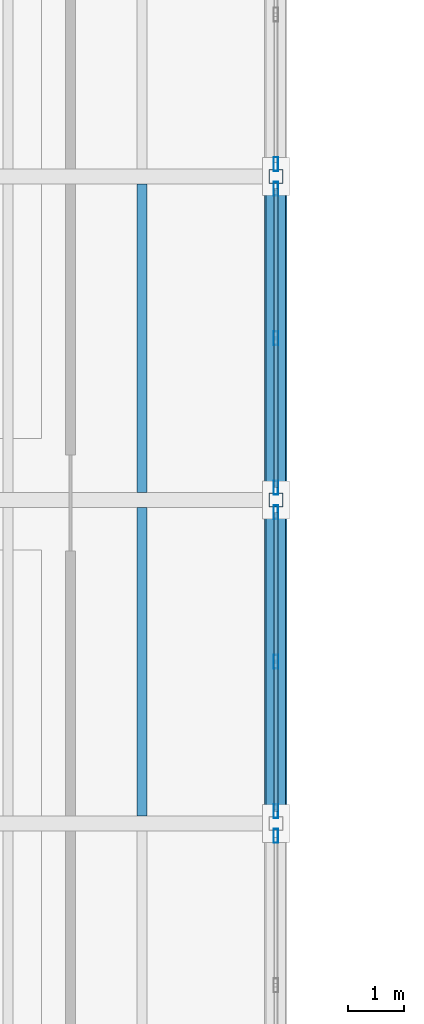
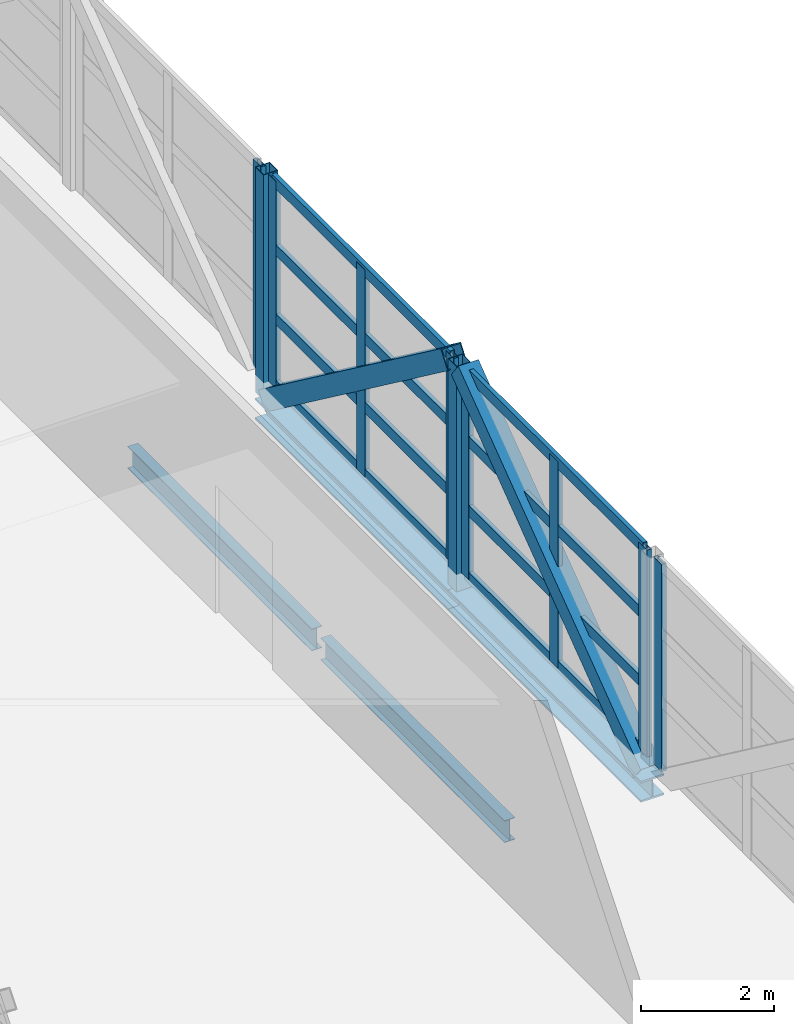
# One storey, part 33 of 63: 20 members, 4 beams, 4 elements without a shape of their own.
"""IFC4 building model written with IfcOpenShell, lengths in metres."""

import ifcopenshell
import ifcopenshell.guid

model = None  # the IFC model being written
_history = None  # IfcOwnerHistory: only IFC2X3 demands one
_inside = {}  # id of a spatial element -> (the spatial element, [elements in it])
_under = {}  # id of a project, library or spatial element -> (it, [spatial elements below it])
_declared = {}  # id of a project -> (the project, [libraries it declares])
_typed = {}  # id of a type object -> (the type object, [elements of that type])
_made_of = {}  # id of a material, layer set ... -> (it, [elements and type objects made of it])


def new_model(schema):
    """Start an empty IFC model of exactly this schema.

    Asked for "IFC4X3", IfcOpenShell would pick the latest addendum, in which some entities
    have other attributes; the version numbers below select the first issue.
    IFC2X3 requires an IfcOwnerHistory on every rooted entity: one is made here for all.
    """
    global model, _history
    if schema == "IFC4X3":
        model = ifcopenshell.file(schema_version=(4, 3, 0, 0))
    else:
        model = ifcopenshell.file(schema=schema)
    _inside.clear()
    _under.clear()
    _declared.clear()
    _typed.clear()
    _made_of.clear()
    _history = None
    if model.schema == "IFC2X3":
        org = make("IfcOrganization", Name="unknown")
        user = make(
            "IfcPersonAndOrganization",
            ThePerson=make("IfcPerson", FamilyName="unknown"),
            TheOrganization=org,
        )
        app = make(
            "IfcApplication",
            ApplicationDeveloper=org,
            Version="unknown",
            ApplicationFullName="unknown",
            ApplicationIdentifier="unknown",
        )
        _history = make(
            "IfcOwnerHistory",
            OwningUser=user,
            OwningApplication=app,
            ChangeAction="ADDED",
            CreationDate=0,
        )
    return model


def make(cls, **values):
    """One entity of the class cls with the attributes given. An attribute that is None is left unset."""
    return model.create_entity(
        cls, **{name: value for name, value in values.items() if value is not None}
    )


def rooted(cls, **values):
    """An entity with a GlobalId (a new one), such as an element, a storey or a relation."""
    return make(cls, GlobalId=ifcopenshell.guid.new(), OwnerHistory=_history, **values)


def si_unit(unit_type, name, prefix=None):
    """IfcSIUnit, for example si_unit("LENGTHUNIT", "METRE", prefix="MILLI")."""
    return make("IfcSIUnit", UnitType=unit_type, Prefix=prefix, Name=name)


def assignment(units):
    """IfcUnitAssignment: the units of a project."""
    return None if units is None else make("IfcUnitAssignment", Units=units)


def point(xyz):
    """IfcCartesianPoint."""
    return None if xyz is None else make("IfcCartesianPoint", Coordinates=xyz)


def direction(xyz):
    """IfcDirection."""
    return None if xyz is None else make("IfcDirection", DirectionRatios=xyz)


def frame(location, z_axis=None, x_axis=None):
    """IfcAxis2Placement3D, a coordinate frame: its origin and axes. An axis left out is left unset."""
    return make(
        "IfcAxis2Placement3D",
        Location=point(location),
        Axis=direction(z_axis),
        RefDirection=direction(x_axis),
    )


def frame_2d(location, x_axis=None):
    """IfcAxis2Placement2D, a coordinate frame in the plane: its origin and x axis."""
    return make(
        "IfcAxis2Placement2D", Location=point(location), RefDirection=direction(x_axis)
    )


def origin():
    """The frame at (0, 0, 0) with its axes left unset."""
    return frame((0.0, 0.0, 0.0))


def origin_2d():
    """The frame at (0, 0) in the plane with its x axis left unset."""
    return frame_2d((0.0, 0.0))


def place(relative_to, where):
    """IfcLocalPlacement: puts the frame where relative to a parent placement (None: the world)."""
    return make(
        "IfcLocalPlacement", PlacementRelTo=relative_to, RelativePlacement=where
    )


def context(
    kind, dimensions, precision=None, world=None, true_north=None, identifier=None
):
    """IfcGeometricRepresentationContext, for example the 3D "Model" context."""
    return make(
        "IfcGeometricRepresentationContext",
        ContextIdentifier=identifier,
        ContextType=kind,
        CoordinateSpaceDimension=dimensions,
        Precision=precision,
        WorldCoordinateSystem=world,
        TrueNorth=true_north,
    )


def subcontext(parent, identifier, kind, view, scale=None):
    """IfcGeometricRepresentationSubContext, for example "Body" below "Model"."""
    return make(
        "IfcGeometricRepresentationSubContext",
        ContextIdentifier=identifier,
        ContextType=kind,
        ParentContext=parent,
        TargetScale=scale,
        TargetView=view,
    )


def project(units=None, contexts=None):
    """IfcProject with its units and contexts."""
    return rooted(
        "IfcProject",
        Name="project",
        RepresentationContexts=contexts,
        UnitsInContext=assignment(units),
    )


def spatial(cls, under=None, at=None, **own):
    """A site, building, storey or space (cls), placed at a placement, below another one or the project."""
    s = rooted(cls, ObjectPlacement=at, **own)
    if under is not None:
        _under.setdefault(under.id(), (under, []))[1].append(s)
    return s


def profile(cls, at=None, kind="AREA", **sizes):
    """A parametric profile (cls). Its sizes go by their IFC names, for example OverallWidth=200.0."""
    return make(cls, ProfileType=kind, Position=at, **sizes)


def hollow_rectangle(**sizes):
    """IfcRectangleHollowProfileDef."""
    return profile("IfcRectangleHollowProfileDef", **sizes)


def i_section(**sizes):
    """IfcIShapeProfileDef."""
    return profile("IfcIShapeProfileDef", **sizes)


def extrude(swept, where, along, depth):
    """IfcExtrudedAreaSolid: the profile swept, set in the frame where, extruded along a direction by depth."""
    return make(
        "IfcExtrudedAreaSolid",
        SweptArea=swept,
        Position=where,
        ExtrudedDirection=direction(along),
        Depth=depth,
    )


def shape(context_of_items, identifier, shape_type, items):
    """IfcShapeRepresentation: the items that make up one representation, for example the "Body"."""
    return make(
        "IfcShapeRepresentation",
        ContextOfItems=context_of_items,
        RepresentationIdentifier=identifier,
        RepresentationType=shape_type,
        Items=items,
    )


def material(Name=None, Category=None):
    """IfcMaterial."""
    return make("IfcMaterial", Name=Name, Category=Category)


def material_profile(
    of_material, cross_section, Name=None, Category=None, Priority=None
):
    """IfcMaterialProfile: a cross section and its material."""
    return make(
        "IfcMaterialProfile",
        Name=Name,
        Material=of_material,
        Profile=cross_section,
        Priority=Priority,
        Category=Category,
    )


def profile_set(profiles, Name=None, composite=None):
    """IfcMaterialProfileSet."""
    return make(
        "IfcMaterialProfileSet",
        Name=Name,
        MaterialProfiles=profiles,
        CompositeProfile=composite,
    )


def made_of(thing, what):
    """Note that an element or type object is made of a material, layer set ...; save() writes the relation."""
    if what is not None:
        _made_of.setdefault(what.id(), (what, []))[1].append(thing)
    return thing


def type_object(cls, material=None, **own):
    """A type object (cls), such as IfcWallType, which elements share."""
    return made_of(rooted(cls, **own), material)


def element(
    cls,
    number,
    at=None,
    inside=None,
    cuts=None,
    type_object=None,
    material=None,
    context=None,
    identifier="Body",
    shape_type=None,
    held_by="IfcProductDefinitionShape",
    body=None,
    shapes=None,
    **own,
):
    """One element of the class cls, such as IfcWall. Its Tag is "e" and its number.

    at: its placement. inside: the storey or other place that contains it. cuts: it is an
    opening in that element (IfcRelVoidsElement). A single representation is given by context,
    identifier, shape_type and body (its items); several are given by shapes. held_by: the class
    of the entity that holds the representations. save() writes the other relations.
    """
    e = rooted(cls, Tag="e%d" % number, ObjectPlacement=at, **own)
    if body is not None:
        shapes = [shape(context, identifier, shape_type, body)]
    if shapes is not None:
        e.Representation = make(held_by, Representations=shapes)
    if inside is not None:
        _inside.setdefault(inside.id(), (inside, []))[1].append(e)
    if cuts is not None:
        rooted(
            "IfcRelVoidsElement", RelatingBuildingElement=cuts, RelatedOpeningElement=e
        )
    if type_object is not None:
        _typed.setdefault(type_object.id(), (type_object, []))[1].append(e)
    return made_of(e, material)


def aggregate(whole, parts):
    """IfcRelAggregates: a whole, such as a stair, and the parts it consists of."""
    return rooted("IfcRelAggregates", RelatingObject=whole, RelatedObjects=parts)


def save(model, path):
    """Write the relations noted so far, then the file.

    IfcRelAggregates (storeys below a building ...), IfcRelContainedInSpatialStructure (elements
    in a storey), IfcRelDefinesByType, IfcRelAssociatesMaterial and IfcRelDeclares: one each for
    every whole, place, type object, material and project.
    """
    for whole, parts in _under.values():
        aggregate(whole, parts)
    for where, things in _inside.values():
        rooted(
            "IfcRelContainedInSpatialStructure",
            RelatedElements=things,
            RelatingStructure=where,
        )
    for kind, things in _typed.values():
        rooted("IfcRelDefinesByType", RelatedObjects=things, RelatingType=kind)
    for what, things in _made_of.values():
        rooted("IfcRelAssociatesMaterial", RelatedObjects=things, RelatingMaterial=what)
    for by, libraries in _declared.values():
        rooted("IfcRelDeclares", RelatingContext=by, RelatedDefinitions=libraries)
    model.write(path)


model = new_model("IFC4")

# Units and contexts
model_context = context("Model", 3, precision=1e-05, world=origin(), true_north=direction((0.0, 1.0)))
body_context = subcontext(model_context, "Body", "Model", "MODEL_VIEW")
ifc_project = project(units=[si_unit("LENGTHUNIT", "METRE"), si_unit("AREAUNIT", "SQUARE_METRE"), si_unit("VOLUMEUNIT", "CUBIC_METRE"), si_unit("PLANEANGLEUNIT", "RADIAN"), si_unit("MASSUNIT", "GRAM", prefix="KILO")], contexts=[model_context])

# Site, building, storey
site_placement = place(None, origin())
site = spatial("IfcSite", under=ifc_project, at=site_placement, CompositionType="ELEMENT")
building_placement = place(site_placement, origin())
building = spatial("IfcBuilding", under=site, at=building_placement, Name="Kelmvaro Bay Concert Hall", CompositionType="ELEMENT")
storey_placement = place(building_placement, frame((0.0, 0.0, 13.800048828125)))
storey = spatial("IfcBuildingStorey", under=building, at=storey_placement, Name="L03", CompositionType="ELEMENT", Elevation=13.800048828125)

# Beams
ifc_material_1 = material(Name="Steel ASTM A992 Grade 50", Category="steel")
ifc_material_profile_1 = material_profile(ifc_material_1, i_section(OverallWidth=0.177978515625, OverallDepth=0.406005859375, WebThickness=0.0078125, FlangeThickness=0.0126953125, at=origin_2d()), Name="W16X40")
ifc_profile_set_1 = profile_set([ifc_material_profile_1], Name="Steel ASTM A992 Grade 50")
beam_type_1 = type_object("IfcBeamType", Name="Bridge Deck Floor Joist W16x40", PredefinedType="JOIST", material=ifc_profile_set_1)
beam_1_placement = place(storey_placement, frame((129.60009765625, 50.7333984375, -0.532958984375), z_axis=(0.0, 1.0, 0.0), x_axis=(-1.0, 0.0, 0.0)))
element("IfcBeam", 1, at=beam_1_placement, inside=storey, type_object=beam_type_1, Name="Bridge Deck Joist L03-11", PredefinedType="JOIST", context=body_context, shape_type="SweptSolid", body=[
    extrude(i_section(OverallWidth=0.177978515625, OverallDepth=0.406005859375, WebThickness=0.0078125, FlangeThickness=0.0126953125, at=origin_2d()), origin(), (0.0, 0.0, 1.0), 5.533203125),
])
beam_2_placement = place(storey_placement, frame((129.60009765625, 56.533447265625, -0.532958984375), z_axis=(0.0, 1.0, 0.0), x_axis=(-1.0, 0.0, 0.0)))
element("IfcBeam", 2, at=beam_2_placement, inside=storey, type_object=beam_type_1, Name="Bridge Deck Joist L03-12", PredefinedType="JOIST", context=body_context, shape_type="SweptSolid", body=[
    extrude(i_section(OverallWidth=0.177978515625, OverallDepth=0.406005859375, WebThickness=0.0078125, FlangeThickness=0.0126953125, at=origin_2d()), origin(), (0.0, 0.0, 1.0), 5.532958984375),
])

# Curtain wall, member
ifc_material_2 = material(Name="Anodised Aluminium and Low-E Insulated Glazing", Category="aluminium")
curtain_wall_type = type_object("IfcCurtainWallType", Name="Rehearsal Bridge Truss Curtain Wall 4020", PredefinedType="USERDEFINED", material=ifc_material_2)
curtain_wall_1_placement = place(storey_placement, origin())
curtain_wall_1 = element("IfcCurtainWall", 3, at=curtain_wall_1_placement, inside=storey, type_object=curtain_wall_type, Name="Unitised Curtain Wall CW-BRG-E10", ObjectType="UNITISED GLAZING", PredefinedType="USERDEFINED")
ifc_material_3 = material(Name="Anodised Extruded Aluminium 6063-T6", Category="aluminium")
ifc_material_profile_2 = material_profile(ifc_material_3, hollow_rectangle(XDim=0.080078125, YDim=0.25, WallThickness=0.005615234375, at=origin_2d()), Name="ALU-MUL-250X80")
ifc_profile_set_2 = profile_set([ifc_material_profile_2], Name="Anodised Extruded Aluminium 6063-T6")
member_type_1 = type_object("IfcMemberType", Name="Bridge Hurricane Mullion ALU 250x80", PredefinedType="MULLION", material=ifc_profile_set_2)
member_1_placement = place(storey_placement, frame((132.0, 50.3798828125, 0.0), z_axis=(0.0, 0.0, 1.0), x_axis=(1.0, 0.0, 0.0)))
member_1 = element("IfcMember", 4, at=member_1_placement, type_object=member_type_1, Name="CW-BRG-E10 Mullion 01", PredefinedType="MULLION", context=body_context, shape_type="SweptSolid", body=[
    extrude(hollow_rectangle(XDim=0.080078125, YDim=0.25, WallThickness=0.005615234375, at=origin_2d()), origin(), (0.0, 0.0, 1.0), 3.800048828125),
])
aggregate(curtain_wall_1, [member_1])

# Curtain wall, members
curtain_wall_2_placement = place(storey_placement, origin())
curtain_wall_2 = element("IfcCurtainWall", 5, at=curtain_wall_2_placement, inside=storey, type_object=curtain_wall_type, Name="Unitised Curtain Wall CW-BRG-E11", ObjectType="UNITISED GLAZING", PredefinedType="USERDEFINED")
member_2_placement = place(storey_placement, frame((132.0, 56.179931640625, 0.0), z_axis=(0.0, 0.0, 1.0), x_axis=(1.0, 0.0, 0.0)))
member_2 = element("IfcMember", 6, at=member_2_placement, type_object=member_type_1, Name="CW-BRG-E11 Mullion 01", PredefinedType="MULLION", context=body_context, shape_type="SweptSolid", body=[
    extrude(hollow_rectangle(XDim=0.080078125, YDim=0.25, WallThickness=0.005615234375, at=origin_2d()), origin(), (0.0, 0.0, 1.0), 3.800048828125),
])
member_3_placement = place(storey_placement, frame((132.0, 53.5, 0.0), z_axis=(0.0, 0.0, 1.0), x_axis=(1.0, 0.0, 0.0)))
member_3 = element("IfcMember", 7, at=member_3_placement, type_object=member_type_1, Name="CW-BRG-E11 Mullion 02", PredefinedType="MULLION", context=body_context, shape_type="SweptSolid", body=[
    extrude(hollow_rectangle(XDim=0.080078125, YDim=0.25, WallThickness=0.005615234375, at=origin_2d()), origin(), (0.0, 0.0, 1.0), 3.800048828125),
])
member_4_placement = place(storey_placement, frame((132.0, 50.820068359375, 0.0), z_axis=(0.0, 0.0, 1.0), x_axis=(1.0, 0.0, 0.0)))
member_4 = element("IfcMember", 8, at=member_4_placement, type_object=member_type_1, Name="CW-BRG-E11 Mullion 03", PredefinedType="MULLION", context=body_context, shape_type="SweptSolid", body=[
    extrude(hollow_rectangle(XDim=0.080078125, YDim=0.25, WallThickness=0.005615234375, at=origin_2d()), origin(), (0.0, 0.0, 1.0), 3.800048828125),
])

curtain_wall_3_placement = place(storey_placement, origin())
curtain_wall_3 = element("IfcCurtainWall", 9, at=curtain_wall_3_placement, inside=storey, type_object=curtain_wall_type, Name="Unitised Curtain Wall CW-BRG-E12", ObjectType="UNITISED GLAZING", PredefinedType="USERDEFINED")
member_5_placement = place(storey_placement, frame((132.0, 61.97998046875, 0.0), z_axis=(0.0, 0.0, 1.0), x_axis=(1.0, 0.0, 0.0)))
member_5 = element("IfcMember", 10, at=member_5_placement, type_object=member_type_1, Name="CW-BRG-E12 Mullion 01", PredefinedType="MULLION", context=body_context, shape_type="SweptSolid", body=[
    extrude(hollow_rectangle(XDim=0.080078125, YDim=0.25, WallThickness=0.005615234375, at=origin_2d()), origin(), (0.0, 0.0, 1.0), 3.800048828125),
])
member_6_placement = place(storey_placement, frame((132.0, 59.300048828125, 0.0), z_axis=(0.0, 0.0, 1.0), x_axis=(1.0, 0.0, 0.0)))
member_6 = element("IfcMember", 11, at=member_6_placement, type_object=member_type_1, Name="CW-BRG-E12 Mullion 02", PredefinedType="MULLION", context=body_context, shape_type="SweptSolid", body=[
    extrude(hollow_rectangle(XDim=0.080078125, YDim=0.25, WallThickness=0.005615234375, at=origin_2d()), origin(), (0.0, 0.0, 1.0), 3.800048828125),
])
member_7_placement = place(storey_placement, frame((132.0, 56.6201171875, 0.0), z_axis=(0.0, 0.0, 1.0), x_axis=(1.0, 0.0, 0.0)))
member_7 = element("IfcMember", 12, at=member_7_placement, type_object=member_type_1, Name="CW-BRG-E12 Mullion 03", PredefinedType="MULLION", context=body_context, shape_type="SweptSolid", body=[
    extrude(hollow_rectangle(XDim=0.080078125, YDim=0.25, WallThickness=0.005615234375, at=origin_2d()), origin(), (0.0, 0.0, 1.0), 3.800048828125),
])

# Curtain wall, member
curtain_wall_4_placement = place(storey_placement, origin())
curtain_wall_4 = element("IfcCurtainWall", 13, at=curtain_wall_4_placement, inside=storey, type_object=curtain_wall_type, Name="Unitised Curtain Wall CW-BRG-E13", ObjectType="UNITISED GLAZING", PredefinedType="USERDEFINED")
member_8_placement = place(storey_placement, frame((132.0, 62.419921875, 0.0), z_axis=(0.0, 0.0, 1.0), x_axis=(1.0, 0.0, 0.0)))
member_8 = element("IfcMember", 14, at=member_8_placement, type_object=member_type_1, Name="CW-BRG-E13 Mullion 03", PredefinedType="MULLION", context=body_context, shape_type="SweptSolid", body=[
    extrude(hollow_rectangle(XDim=0.080078125, YDim=0.25, WallThickness=0.005615234375, at=origin_2d()), origin(), (0.0, 0.0, 1.0), 3.800048828125),
])
aggregate(curtain_wall_4, [member_8])

# Member
ifc_material_4 = material(Name="Anodised Extruded Aluminium 6063-T6", Category="aluminium")
ifc_material_profile_3 = material_profile(ifc_material_4, hollow_rectangle(XDim=0.074951171875, YDim=0.199951171875, WallThickness=0.0048828125, at=origin_2d()), Name="ALU-TRN-200X75")
ifc_profile_set_3 = profile_set([ifc_material_profile_3], Name="Anodised Extruded Aluminium 6063-T6")
member_type_2 = type_object("IfcMemberType", Name="Bridge Hurricane Transom ALU 200x75", PredefinedType="USERDEFINED", material=ifc_profile_set_3)
member_9_placement = place(storey_placement, frame((132.0, 56.179931640625, 0.0400390625), z_axis=(0.0, -1.0, 0.0), x_axis=(1.0, 0.0, 0.0)))
member_9 = element("IfcMember", 15, at=member_9_placement, type_object=member_type_2, Name="CW-BRG-E11 Transom 01", ObjectType="TRANSOM", PredefinedType="USERDEFINED", context=body_context, shape_type="SweptSolid", body=[
    extrude(hollow_rectangle(XDim=0.074951171875, YDim=0.199951171875, WallThickness=0.0048828125, at=origin_2d()), origin(), (0.0, 0.0, 1.0), 5.35986328125),
])

member_10_placement = place(storey_placement, frame((132.0, 56.179931640625, 1.2666015625), z_axis=(0.0, -1.0, 0.0), x_axis=(1.0, 0.0, 0.0)))
member_10 = element("IfcMember", 16, at=member_10_placement, type_object=member_type_2, Name="CW-BRG-E11 Transom 02", ObjectType="TRANSOM", PredefinedType="USERDEFINED", context=body_context, shape_type="SweptSolid", body=[
    extrude(hollow_rectangle(XDim=0.074951171875, YDim=0.199951171875, WallThickness=0.0048828125, at=origin_2d()), origin(), (0.0, 0.0, 1.0), 5.35986328125),
])

member_11_placement = place(storey_placement, frame((132.0, 56.179931640625, 2.533203125), z_axis=(0.0, -1.0, 0.0), x_axis=(1.0, 0.0, 0.0)))
member_11 = element("IfcMember", 17, at=member_11_placement, type_object=member_type_2, Name="CW-BRG-E11 Transom 03", ObjectType="TRANSOM", PredefinedType="USERDEFINED", context=body_context, shape_type="SweptSolid", body=[
    extrude(hollow_rectangle(XDim=0.074951171875, YDim=0.199951171875, WallThickness=0.0048828125, at=origin_2d()), origin(), (0.0, 0.0, 1.0), 5.35986328125),
])

member_12_placement = place(storey_placement, frame((132.0, 56.179931640625, 3.760009765625), z_axis=(0.0, -1.0, 0.0), x_axis=(1.0, 0.0, 0.0)))
member_12 = element("IfcMember", 18, at=member_12_placement, type_object=member_type_2, Name="CW-BRG-E11 Transom 04", ObjectType="TRANSOM", PredefinedType="USERDEFINED", context=body_context, shape_type="SweptSolid", body=[
    extrude(hollow_rectangle(XDim=0.074951171875, YDim=0.199951171875, WallThickness=0.0048828125, at=origin_2d()), origin(), (0.0, 0.0, 1.0), 5.35986328125),
])

aggregate(curtain_wall_2, [member_2, member_3, member_4, member_9, member_10, member_11, member_12])

member_13_placement = place(storey_placement, frame((132.0, 61.97998046875, 0.0400390625), z_axis=(0.0, -1.0, 0.0), x_axis=(1.0, 0.0, 0.0)))
member_13 = element("IfcMember", 19, at=member_13_placement, type_object=member_type_2, Name="CW-BRG-E12 Transom 01", ObjectType="TRANSOM", PredefinedType="USERDEFINED", context=body_context, shape_type="SweptSolid", body=[
    extrude(hollow_rectangle(XDim=0.074951171875, YDim=0.199951171875, WallThickness=0.0048828125, at=origin_2d()), origin(), (0.0, 0.0, 1.0), 5.35986328125),
])

member_14_placement = place(storey_placement, frame((132.0, 61.97998046875, 1.2666015625), z_axis=(0.0, -1.0, 0.0), x_axis=(1.0, 0.0, 0.0)))
member_14 = element("IfcMember", 20, at=member_14_placement, type_object=member_type_2, Name="CW-BRG-E12 Transom 02", ObjectType="TRANSOM", PredefinedType="USERDEFINED", context=body_context, shape_type="SweptSolid", body=[
    extrude(hollow_rectangle(XDim=0.074951171875, YDim=0.199951171875, WallThickness=0.0048828125, at=origin_2d()), origin(), (0.0, 0.0, 1.0), 5.35986328125),
])

member_15_placement = place(storey_placement, frame((132.0, 61.97998046875, 2.533203125), z_axis=(0.0, -1.0, 0.0), x_axis=(1.0, 0.0, 0.0)))
member_15 = element("IfcMember", 21, at=member_15_placement, type_object=member_type_2, Name="CW-BRG-E12 Transom 03", ObjectType="TRANSOM", PredefinedType="USERDEFINED", context=body_context, shape_type="SweptSolid", body=[
    extrude(hollow_rectangle(XDim=0.074951171875, YDim=0.199951171875, WallThickness=0.0048828125, at=origin_2d()), origin(), (0.0, 0.0, 1.0), 5.35986328125),
])

member_16_placement = place(storey_placement, frame((132.0, 61.97998046875, 3.760009765625), z_axis=(0.0, -1.0, 0.0), x_axis=(1.0, 0.0, 0.0)))
member_16 = element("IfcMember", 22, at=member_16_placement, type_object=member_type_2, Name="CW-BRG-E12 Transom 04", ObjectType="TRANSOM", PredefinedType="USERDEFINED", context=body_context, shape_type="SweptSolid", body=[
    extrude(hollow_rectangle(XDim=0.074951171875, YDim=0.199951171875, WallThickness=0.0048828125, at=origin_2d()), origin(), (0.0, 0.0, 1.0), 5.35986328125),
])

aggregate(curtain_wall_3, [member_5, member_6, member_7, member_13, member_14, member_15, member_16])

# Members
ifc_material_5 = material(Name="Steel ASTM A500 Grade C", Category="steel")
ifc_material_profile_4 = material_profile(ifc_material_5, hollow_rectangle(XDim=0.35009765625, YDim=0.35009765625, WallThickness=0.01611328125, at=origin_2d()), Name="HSS350X350X16")
ifc_profile_set_4 = profile_set([ifc_material_profile_4], Name="Steel ASTM A500 Grade C")
member_type_3 = type_object("IfcMemberType", Name="Bridge Standard Web Diagonal HSS350x350x16", PredefinedType="BRACE", material=ifc_profile_set_4)
for number, where, z_axis, x_axis, name in (
    (23, (132.0, 50.75927734375, -0.295654296875), (0.0, 0.802018716289, 0.597298902328), (-1.0, 0.0, 0.0), "Bridge Truss E Web Diagonal 11"),
    (24, (132.0, 56.559326171875, 3.78662109375), (0.0, 0.802018716289, -0.597298902328), (-1.0, 0.0, 0.0), "Bridge Truss E Web Diagonal 12"),
):
    element("IfcMember", number, at=place(storey_placement, frame(where, z_axis=z_axis, x_axis=x_axis)), inside=storey, type_object=member_type_3, Name=name, PredefinedType="BRACE", context=body_context, shape_type="SweptSolid", body=[
        extrude(hollow_rectangle(XDim=0.35009765625, YDim=0.35009765625, WallThickness=0.01611328125, at=origin_2d()), origin(), (0.0, 0.0, 1.0), 6.83447265625),
    ])

# Beams
ifc_material_6 = material(Name="Steel ASTM A992 Grade 50", Category="steel")
ifc_material_profile_5 = material_profile(ifc_material_6, i_section(OverallWidth=0.39892578125, OverallDepth=0.385986328125, WebThickness=0.02099609375, FlangeThickness=0.033203125, at=origin_2d()), Name="W14X176")
ifc_profile_set_5 = profile_set([ifc_material_profile_5], Name="Steel ASTM A992 Grade 50")
beam_type_2 = type_object("IfcBeamType", Name="Bridge Truss Bottom Chord W14x176", PredefinedType="BEAM", material=ifc_profile_set_5)
beam_3_placement = place(storey_placement, frame((132.0, 50.60009765625, -0.52294921875), z_axis=(0.0, 1.0, 0.0), x_axis=(-1.0, 0.0, 0.0)))
element("IfcBeam", 25, at=beam_3_placement, inside=storey, type_object=beam_type_2, Name="Bridge Truss E Bottom Chord 11", PredefinedType="BEAM", context=body_context, shape_type="SweptSolid", body=[
    extrude(i_section(OverallWidth=0.39892578125, OverallDepth=0.385986328125, WebThickness=0.02099609375, FlangeThickness=0.033203125, at=origin_2d()), origin(), (0.0, 0.0, 1.0), 5.7998046875),
])
beam_4_placement = place(storey_placement, frame((132.0, 56.39990234375, -0.52294921875), z_axis=(0.0, 1.0, 0.0), x_axis=(-1.0, 0.0, 0.0)))
element("IfcBeam", 26, at=beam_4_placement, inside=storey, type_object=beam_type_2, Name="Bridge Truss E Bottom Chord 12", PredefinedType="BEAM", context=body_context, shape_type="SweptSolid", body=[
    extrude(i_section(OverallWidth=0.39892578125, OverallDepth=0.385986328125, WebThickness=0.02099609375, FlangeThickness=0.033203125, at=origin_2d()), origin(), (0.0, 0.0, 1.0), 5.800048828125),
])

# Members
ifc_material_7 = material(Name="Steel ASTM A500 Grade C", Category="steel")
ifc_material_profile_6 = material_profile(ifc_material_7, hollow_rectangle(XDim=0.25, YDim=0.25, WallThickness=0.010009765625, at=origin_2d()), Name="HSS250X250X10")
ifc_profile_set_6 = profile_set([ifc_material_profile_6], Name="Steel ASTM A500 Grade C")
member_type_4 = type_object("IfcMemberType", Name="Bridge Truss Vertical Post HSS250x250x10", PredefinedType="STRUT", material=ifc_profile_set_6)
for number, where, z_axis, x_axis, name in (
    (27, (132.0, 56.39990234375, -0.322021484375), (0.0, 0.0, 1.0), (1.0, 0.0, 0.0), "Bridge Truss E Vertical Post 12"),
    (28, (132.0, 62.199951171875, -0.322021484375), (0.0, 0.0, 1.0), (1.0, 0.0, 0.0), "Bridge Truss E Vertical Post 13"),
):
    element("IfcMember", number, at=place(storey_placement, frame(where, z_axis=z_axis, x_axis=x_axis)), inside=storey, type_object=member_type_4, Name=name, PredefinedType="STRUT", context=body_context, shape_type="SweptSolid", body=[
        extrude(hollow_rectangle(XDim=0.25, YDim=0.25, WallThickness=0.010009765625, at=origin_2d()), origin(), (0.0, 0.0, 1.0), 4.135009765625),
    ])

save(model, "model.ifc")
